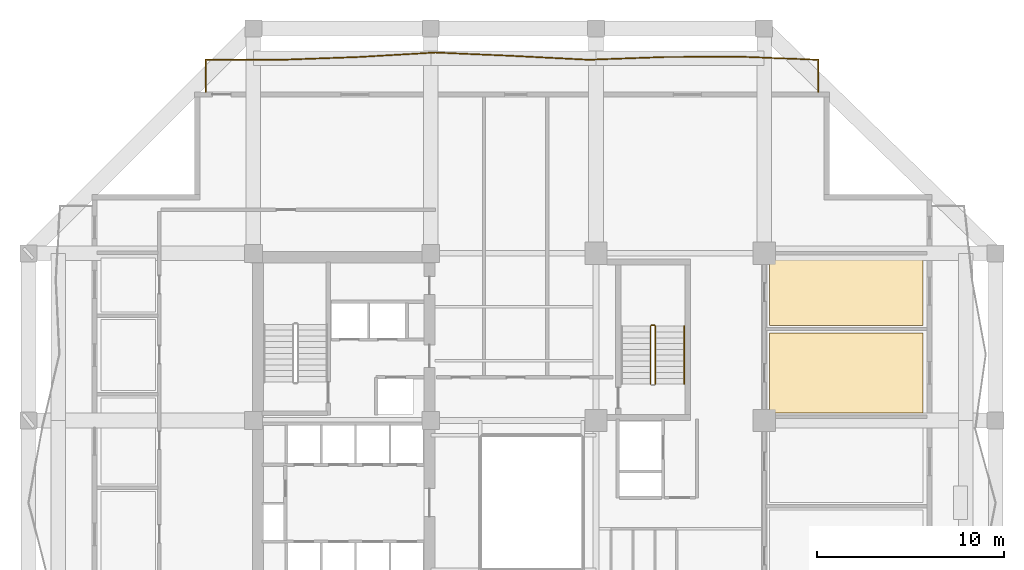
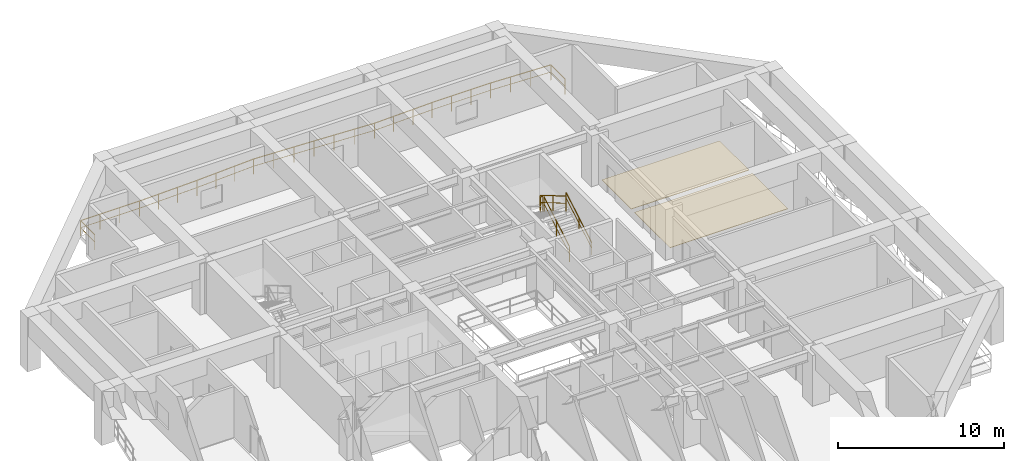
# One storey, part 12 of 13: 5 railings, 2 coverings.
"""IFC4 building model written with IfcOpenShell, lengths in metres."""

from ifc_helpers import new_model, si_unit, direction, frame, origin, origin_2d, place, context, subcontext, project, spatial, polyline, rectangle, outline, extrude, material, layer, layer_set, type_object, element, save


model = new_model("IFC4")

# Units and contexts
model_context = context("Model", 3, precision=1e-05, world=origin(), true_north=direction((0.0, 1.0)))
body_context = subcontext(model_context, "Body", "Model", "MODEL_VIEW")
ifc_project = project(units=[si_unit("LENGTHUNIT", "METRE"), si_unit("AREAUNIT", "SQUARE_METRE"), si_unit("VOLUMEUNIT", "CUBIC_METRE"), si_unit("PLANEANGLEUNIT", "RADIAN"), si_unit("MASSUNIT", "GRAM", prefix="KILO")], contexts=[model_context])

# Site, building, storey
site_placement = place(None, origin())
site = spatial("IfcSite", under=ifc_project, at=site_placement, CompositionType="ELEMENT")
building_placement = place(site_placement, origin())
building = spatial("IfcBuilding", under=site, at=building_placement, Name="Kundavana Baori Tower", CompositionType="ELEMENT")
storey_placement = place(building_placement, frame((0.0, 0.0, 78.0)))
storey = spatial("IfcBuildingStorey", under=building, at=storey_placement, Name="L18", CompositionType="ELEMENT", Elevation=78.0)

# Coverings
ifc_material_1 = material(Name="Honed Kota Stone and Terrazzo Flooring", Category="masonry")
ifc_layer = layer(ifc_material_1, 0.030029296875, Name="COV-INT-FLR")
ifc_layer_set = layer_set([ifc_layer], Name="Honed Kota Stone and Terrazzo Flooring")
covering_type = type_object("IfcCoveringType", Name="COV-INT-FLR", PredefinedType="FLOORING", material=ifc_layer_set)
covering_1_placement = place(storey_placement, origin())
element("IfcCovering", 1, at=covering_1_placement, inside=storey, type_object=covering_type, Name="L18 Room Finished Stone Flooring 17", PredefinedType="FLOORING", context=body_context, shape_type="SweptSolid", body=[
    extrude(outline(polyline([(43.10009765625, 33.39990234375), (51.320068359375, 33.39990234375), (51.320068359375, 37.699951171875), (43.10009765625, 37.699951171875), (43.10009765625, 33.39990234375)])), origin(), (0.0, 0.0, 1.0), 0.030029296875),
])
covering_2_placement = place(storey_placement, origin())
element("IfcCovering", 2, at=covering_2_placement, inside=storey, type_object=covering_type, Name="L18 Room Finished Stone Flooring 18", PredefinedType="FLOORING", context=body_context, shape_type="SweptSolid", body=[
    extrude(outline(polyline([(43.10009765625, 38.10009765625), (51.320068359375, 38.10009765625), (51.320068359375, 41.64990234375), (43.10009765625, 41.64990234375), (43.10009765625, 38.10009765625)])), origin(), (0.0, 0.0, 1.0), 0.030029296875),
])

# Railings
ifc_material_2 = material(Name="Architectural Patinated Bronze Metalwork")
railing_type_1 = type_object("IfcRailingType", Name="RL-BAL-1150", PredefinedType="BALUSTRADE", material=ifc_material_2)
railing_1_placement = place(storey_placement, frame((12.89990234375, 50.60009765625, 0.0)))
element("IfcRailing", 3, at=railing_1_placement, inside=storey, type_object=railing_type_1, Name="L18 Loggia Balcony Balustrade N", PredefinedType="BALUSTRADE", context=body_context, shape_type="SweptSolid", body=[
    extrude(rectangle(XDim=0.048095703125, YDim=0.048095703125, at=origin_2d()), frame((0.0, 0.0, 1.1259765625), z_axis=(0.0, 1.0, 0.0), x_axis=(-1.0, 0.0, 0.0)), (0.0, 0.0, 1.0), 1.719970703125),
    extrude(rectangle(XDim=0.03125, YDim=0.03125, at=origin_2d()), frame((0.0, 0.0, 0.597900390625), z_axis=(0.0, 1.0, 0.0), x_axis=(-1.0, 0.0, 0.0)), (0.0, 0.0, 1.0), 1.719970703125),
    extrude(rectangle(XDim=0.048095703125, YDim=0.048095703125, at=origin_2d()), frame((0.0, 1.719970703125, 1.1259765625), z_axis=(1.0, 0.0, 0.0), x_axis=(0.0, 1.0, 0.0)), (0.0, 0.0, 1.0), 4.10009765625),
    extrude(rectangle(XDim=0.03125, YDim=0.03125, at=origin_2d()), frame((0.0, 1.719970703125, 0.597900390625), z_axis=(1.0, 0.0, 0.0), x_axis=(0.0, 1.0, 0.0)), (0.0, 0.0, 1.0), 4.10009765625),
    extrude(rectangle(XDim=0.048095703125, YDim=0.048095703125, at=origin_2d()), frame((4.10009765625, 1.719970703125, 1.1259765625), z_axis=(0.999349596164, 0.03606084645, 0.0), x_axis=(-0.03606084645, 0.999349596164, 0.0)), (0.0, 0.0, 1.0), 4.102783203125),
    extrude(rectangle(XDim=0.03125, YDim=0.03125, at=origin_2d()), frame((4.10009765625, 1.719970703125, 0.597900390625), z_axis=(0.999349596164, 0.03606084645, 0.0), x_axis=(-0.03606084645, 0.999349596164, 0.0)), (0.0, 0.0, 1.0), 4.102783203125),
    extrude(rectangle(XDim=0.048095703125, YDim=0.048095703125, at=origin_2d()), frame((8.2001953125, 1.867919921875, 1.1259765625), z_axis=(0.998291141389, 0.058436264633, 0.0), x_axis=(-0.058436264633, 0.998291141389, 0.0)), (0.0, 0.0, 1.0), 4.10693359375),
    extrude(rectangle(XDim=0.03125, YDim=0.03125, at=origin_2d()), frame((8.2001953125, 1.867919921875, 0.597900390625), z_axis=(0.998291141389, 0.058436264633, 0.0), x_axis=(-0.058436264633, 0.998291141389, 0.0)), (0.0, 0.0, 1.0), 4.10693359375),
    extrude(rectangle(XDim=0.048095703125, YDim=0.048095703125, at=origin_2d()), frame((12.300048828125, 2.10791015625, 1.1259765625), z_axis=(0.999059186498, -0.043367520957, 0.0), x_axis=(0.043367520957, 0.999059186498, 0.0)), (0.0, 0.0, 1.0), 4.10400390625),
    extrude(rectangle(XDim=0.03125, YDim=0.03125, at=origin_2d()), frame((12.300048828125, 2.10791015625, 0.597900390625), z_axis=(0.999059186498, -0.043367520957, 0.0), x_axis=(0.043367520957, 0.999059186498, 0.0)), (0.0, 0.0, 1.0), 4.10400390625),
    extrude(rectangle(XDim=0.048095703125, YDim=0.048095703125, at=origin_2d()), frame((16.400146484375, 1.929931640625, 1.1259765625), z_axis=(0.998691248766, -0.051144790921, 0.0), x_axis=(0.051144790921, 0.998691248766, 0.0)), (0.0, 0.0, 1.0), 4.105224609375),
    extrude(rectangle(XDim=0.03125, YDim=0.03125, at=origin_2d()), frame((16.400146484375, 1.929931640625, 0.597900390625), z_axis=(0.998691248766, -0.051144790921, 0.0), x_axis=(0.051144790921, 0.998691248766, 0.0)), (0.0, 0.0, 1.0), 4.105224609375),
    extrude(rectangle(XDim=0.048095703125, YDim=0.048095703125, at=origin_2d()), frame((20.5, 1.719970703125, 1.1259765625), z_axis=(0.999349596164, 0.03606084645, 0.0), x_axis=(-0.03606084645, 0.999349596164, 0.0)), (0.0, 0.0, 1.0), 4.102783203125),
    extrude(rectangle(XDim=0.03125, YDim=0.03125, at=origin_2d()), frame((20.5, 1.719970703125, 0.597900390625), z_axis=(0.999349596164, 0.03606084645, 0.0), x_axis=(-0.03606084645, 0.999349596164, 0.0)), (0.0, 0.0, 1.0), 4.102783203125),
    extrude(rectangle(XDim=0.048095703125, YDim=0.048095703125, at=origin_2d()), frame((24.60009765625, 1.867919921875, 1.1259765625), z_axis=(0.999995020219, 0.003155873292, 0.0), x_axis=(-0.003155873292, 0.999995020219, 0.0)), (0.0, 0.0, 1.0), 4.10009765625),
    extrude(rectangle(XDim=0.03125, YDim=0.03125, at=origin_2d()), frame((24.60009765625, 1.867919921875, 0.597900390625), z_axis=(0.999995020219, 0.003155873292, 0.0), x_axis=(-0.003155873292, 0.999995020219, 0.0)), (0.0, 0.0, 1.0), 4.10009765625),
    extrude(rectangle(XDim=0.048095703125, YDim=0.048095703125, at=origin_2d()), frame((28.7001953125, 1.880859375, 1.1259765625), z_axis=(0.999230899651, -0.039212360083, 0.0), x_axis=(0.039212360083, 0.999230899651, 0.0)), (0.0, 0.0, 1.0), 4.10302734375),
    extrude(rectangle(XDim=0.03125, YDim=0.03125, at=origin_2d()), frame((28.7001953125, 1.880859375, 0.597900390625), z_axis=(0.999230899651, -0.039212360083, 0.0), x_axis=(0.039212360083, 0.999230899651, 0.0)), (0.0, 0.0, 1.0), 4.10302734375),
    extrude(rectangle(XDim=0.048095703125, YDim=0.048095703125, at=origin_2d()), frame((32.800048828125, 1.719970703125, 1.1259765625), z_axis=(0.0, -1.0, 0.0), x_axis=(1.0, 0.0, 0.0)), (0.0, 0.0, 1.0), 1.719970703125),
    extrude(rectangle(XDim=0.03125, YDim=0.03125, at=origin_2d()), frame((32.800048828125, 1.719970703125, 0.597900390625), z_axis=(0.0, -1.0, 0.0), x_axis=(1.0, 0.0, 0.0)), (0.0, 0.0, 1.0), 1.719970703125),
    extrude(rectangle(XDim=0.0419921875, YDim=0.0419921875, at=origin_2d()), origin(), (0.0, 0.0, 1.0), 1.101806640625),
    extrude(rectangle(XDim=0.0419921875, YDim=0.0419921875, at=origin_2d()), frame((0.0, 1.719970703125, 0.0)), (0.0, 0.0, 1.0), 1.101806640625),
    extrude(rectangle(XDim=0.0419921875, YDim=0.0419921875, at=origin_2d()), frame((1.36669921875, 1.719970703125, 0.0)), (0.0, 0.0, 1.0), 1.101806640625),
    extrude(rectangle(XDim=0.0419921875, YDim=0.0419921875, at=origin_2d()), frame((2.7333984375, 1.719970703125, 0.0)), (0.0, 0.0, 1.0), 1.101806640625),
    extrude(rectangle(XDim=0.0419921875, YDim=0.0419921875, at=origin_2d()), frame((4.10009765625, 1.719970703125, 0.0)), (0.0, 0.0, 1.0), 1.101806640625),
    extrude(rectangle(XDim=0.0419921875, YDim=0.0419921875, at=origin_2d()), frame((5.466796875, 1.769287109375, 0.0)), (0.0, 0.0, 1.0), 1.101806640625),
    extrude(rectangle(XDim=0.0419921875, YDim=0.0419921875, at=origin_2d()), frame((6.83349609375, 1.818603515625, 0.0)), (0.0, 0.0, 1.0), 1.101806640625),
    extrude(rectangle(XDim=0.0419921875, YDim=0.0419921875, at=origin_2d()), frame((8.2001953125, 1.867919921875, 0.0)), (0.0, 0.0, 1.0), 1.101806640625),
    extrude(rectangle(XDim=0.0419921875, YDim=0.0419921875, at=origin_2d()), frame((9.56689453125, 1.947998046875, 0.0)), (0.0, 0.0, 1.0), 1.101806640625),
    extrude(rectangle(XDim=0.0419921875, YDim=0.0419921875, at=origin_2d()), frame((10.933349609375, 2.02783203125, 0.0)), (0.0, 0.0, 1.0), 1.101806640625),
    extrude(rectangle(XDim=0.0419921875, YDim=0.0419921875, at=origin_2d()), frame((12.300048828125, 2.10791015625, 0.0)), (0.0, 0.0, 1.0), 1.101806640625),
    extrude(rectangle(XDim=0.0419921875, YDim=0.0419921875, at=origin_2d()), frame((13.666748046875, 2.048583984375, 0.0)), (0.0, 0.0, 1.0), 1.101806640625),
    extrude(rectangle(XDim=0.0419921875, YDim=0.0419921875, at=origin_2d()), frame((15.033447265625, 1.9892578125, 0.0)), (0.0, 0.0, 1.0), 1.101806640625),
    extrude(rectangle(XDim=0.0419921875, YDim=0.0419921875, at=origin_2d()), frame((16.400146484375, 1.929931640625, 0.0)), (0.0, 0.0, 1.0), 1.101806640625),
    extrude(rectangle(XDim=0.0419921875, YDim=0.0419921875, at=origin_2d()), frame((17.766845703125, 1.85986328125, 0.0)), (0.0, 0.0, 1.0), 1.101806640625),
    extrude(rectangle(XDim=0.0419921875, YDim=0.0419921875, at=origin_2d()), frame((19.13330078125, 1.7900390625, 0.0)), (0.0, 0.0, 1.0), 1.101806640625),
    extrude(rectangle(XDim=0.0419921875, YDim=0.0419921875, at=origin_2d()), frame((20.5, 1.719970703125, 0.0)), (0.0, 0.0, 1.0), 1.101806640625),
    extrude(rectangle(XDim=0.0419921875, YDim=0.0419921875, at=origin_2d()), frame((21.86669921875, 1.769287109375, 0.0)), (0.0, 0.0, 1.0), 1.101806640625),
    extrude(rectangle(XDim=0.0419921875, YDim=0.0419921875, at=origin_2d()), frame((23.2333984375, 1.818603515625, 0.0)), (0.0, 0.0, 1.0), 1.101806640625),
    extrude(rectangle(XDim=0.0419921875, YDim=0.0419921875, at=origin_2d()), frame((24.60009765625, 1.867919921875, 0.0)), (0.0, 0.0, 1.0), 1.101806640625),
    extrude(rectangle(XDim=0.0419921875, YDim=0.0419921875, at=origin_2d()), frame((25.966796875, 1.872314453125, 0.0)), (0.0, 0.0, 1.0), 1.101806640625),
    extrude(rectangle(XDim=0.0419921875, YDim=0.0419921875, at=origin_2d()), frame((27.33349609375, 1.87646484375, 0.0)), (0.0, 0.0, 1.0), 1.101806640625),
    extrude(rectangle(XDim=0.0419921875, YDim=0.0419921875, at=origin_2d()), frame((28.7001953125, 1.880859375, 0.0)), (0.0, 0.0, 1.0), 1.101806640625),
    extrude(rectangle(XDim=0.0419921875, YDim=0.0419921875, at=origin_2d()), frame((30.06689453125, 1.8271484375, 0.0)), (0.0, 0.0, 1.0), 1.101806640625),
    extrude(rectangle(XDim=0.0419921875, YDim=0.0419921875, at=origin_2d()), frame((31.433349609375, 1.773681640625, 0.0)), (0.0, 0.0, 1.0), 1.101806640625),
    extrude(rectangle(XDim=0.0419921875, YDim=0.0419921875, at=origin_2d()), frame((32.800048828125, 1.719970703125, 0.0)), (0.0, 0.0, 1.0), 1.101806640625),
    extrude(rectangle(XDim=0.0419921875, YDim=0.0419921875, at=origin_2d()), frame((32.800048828125, 0.0, 0.0)), (0.0, 0.0, 1.0), 1.101806640625),
])
ifc_material_3 = material(Name="Architectural Patinated Bronze Metalwork")
railing_type_2 = type_object("IfcRailingType", Name="RL-GRD-1150", PredefinedType="GUARDRAIL", material=ifc_material_3)
railing_2_placement = place(storey_placement, frame((36.97998046875, 34.949951171875, 0.181884765625)))
element("IfcRailing", 4, at=railing_2_placement, inside=storey, type_object=railing_type_2, Name="L18 ST3 stair guard 1", PredefinedType="GUARDRAIL", context=body_context, shape_type="SweptSolid", body=[
    extrude(rectangle(XDim=0.048095703125, YDim=0.048095703125, at=origin_2d()), frame((0.0, 0.0, 1.1259765625), z_axis=(0.0, 0.862598821094, 0.505888598258), x_axis=(-1.0, 0.0, 0.0)), (0.0, 0.0, 1.0), 3.593994140625),
    extrude(rectangle(XDim=0.03125, YDim=0.03125, at=origin_2d()), frame((0.0, 0.0, 0.597900390625), z_axis=(0.0, 0.862598821094, 0.505888598258), x_axis=(-1.0, 0.0, 0.0)), (0.0, 0.0, 1.0), 3.593994140625),
    extrude(rectangle(XDim=0.0419921875, YDim=0.0419921875, at=origin_2d()), origin(), (0.0, 0.0, 1.0), 1.101806640625),
    extrude(rectangle(XDim=0.0419921875, YDim=0.0419921875, at=origin_2d()), frame((0.0, 1.550048828125, 0.9091796875)), (0.0, 0.0, 1.0), 1.101806640625),
    extrude(rectangle(XDim=0.0419921875, YDim=0.0419921875, at=origin_2d()), frame((0.0, 3.10009765625, 1.818115234375)), (0.0, 0.0, 1.0), 1.101806640625),
])
railing_3_placement = place(storey_placement, frame((36.929931640625, 38.10009765625, 2.0)))
element("IfcRailing", 5, at=railing_3_placement, inside=storey, type_object=railing_type_2, Name="L18 ST3 stair guard 2", PredefinedType="GUARDRAIL", context=body_context, shape_type="SweptSolid", body=[
    extrude(rectangle(XDim=0.048095703125, YDim=0.048095703125, at=origin_2d()), frame((0.0, 0.0, 1.1259765625), z_axis=(-1.0, 0.0, 0.0), x_axis=(0.0, -1.0, 0.0)), (0.0, 0.0, 1.0), 0.159912109375),
    extrude(rectangle(XDim=0.03125, YDim=0.03125, at=origin_2d()), frame((0.0, 0.0, 0.597900390625), z_axis=(-1.0, 0.0, 0.0), x_axis=(0.0, -1.0, 0.0)), (0.0, 0.0, 1.0), 0.159912109375),
    extrude(rectangle(XDim=0.0419921875, YDim=0.0419921875, at=origin_2d()), origin(), (0.0, 0.0, 1.0), 1.101806640625),
    extrude(rectangle(XDim=0.0419921875, YDim=0.0419921875, at=origin_2d()), frame((-0.159912109375, 0.0, 0.0)), (0.0, 0.0, 1.0), 1.101806640625),
])
railing_4_placement = place(storey_placement, frame((36.719970703125, 38.050048828125, 2.181884765625)))
element("IfcRailing", 6, at=railing_4_placement, inside=storey, type_object=railing_type_2, Name="L18 ST3 stair guard 3", PredefinedType="GUARDRAIL", context=body_context, shape_type="SweptSolid", body=[
    extrude(rectangle(XDim=0.048095703125, YDim=0.048095703125, at=origin_2d()), frame((0.0, 0.0, 1.1259765625), z_axis=(0.0, -0.862598821094, 0.505888598258), x_axis=(1.0, 0.0, 0.0)), (0.0, 0.0, 1.0), 3.593994140625),
    extrude(rectangle(XDim=0.03125, YDim=0.03125, at=origin_2d()), frame((0.0, 0.0, 0.597900390625), z_axis=(0.0, -0.862598821094, 0.505888598258), x_axis=(1.0, 0.0, 0.0)), (0.0, 0.0, 1.0), 3.593994140625),
    extrude(rectangle(XDim=0.0419921875, YDim=0.0419921875, at=origin_2d()), origin(), (0.0, 0.0, 1.0), 1.101806640625),
    extrude(rectangle(XDim=0.0419921875, YDim=0.0419921875, at=origin_2d()), frame((0.0, -1.550048828125, 0.9091796875)), (0.0, 0.0, 1.0), 1.101806640625),
    extrude(rectangle(XDim=0.0419921875, YDim=0.0419921875, at=origin_2d()), frame((0.0, -3.10009765625, 1.818115234375)), (0.0, 0.0, 1.0), 1.101806640625),
])
ifc_material_4 = material(Name="Architectural Patinated Bronze Metalwork")
railing_type_3 = type_object("IfcRailingType", Name="RL-HND-920", PredefinedType="HANDRAIL", material=ifc_material_4)
railing_5_placement = place(storey_placement, frame((38.530029296875, 34.949951171875, 0.181884765625)))
element("IfcRailing", 7, at=railing_5_placement, inside=storey, type_object=railing_type_3, Name="L18 ST3 stair handrail 1", PredefinedType="HANDRAIL", context=body_context, shape_type="SweptSolid", body=[
    extrude(rectangle(XDim=0.048095703125, YDim=0.048095703125, at=origin_2d()), frame((0.0, 0.0, 0.8759765625), z_axis=(0.0, 0.862598821094, 0.505888598258), x_axis=(-1.0, 0.0, 0.0)), (0.0, 0.0, 1.0), 3.593994140625),
    extrude(rectangle(XDim=0.03125, YDim=0.03125, at=origin_2d()), frame((0.0, 0.0, 0.468017578125), z_axis=(0.0, 0.862598821094, 0.505888598258), x_axis=(-1.0, 0.0, 0.0)), (0.0, 0.0, 1.0), 3.593994140625),
    extrude(rectangle(XDim=0.0419921875, YDim=0.0419921875, at=origin_2d()), origin(), (0.0, 0.0, 1.0), 0.851806640625),
    extrude(rectangle(XDim=0.0419921875, YDim=0.0419921875, at=origin_2d()), frame((0.0, 1.550048828125, 0.9091796875)), (0.0, 0.0, 1.0), 0.851806640625),
    extrude(rectangle(XDim=0.0419921875, YDim=0.0419921875, at=origin_2d()), frame((0.0, 3.10009765625, 1.818115234375)), (0.0, 0.0, 1.0), 0.851806640625),
])

save(model, "model.ifc")
